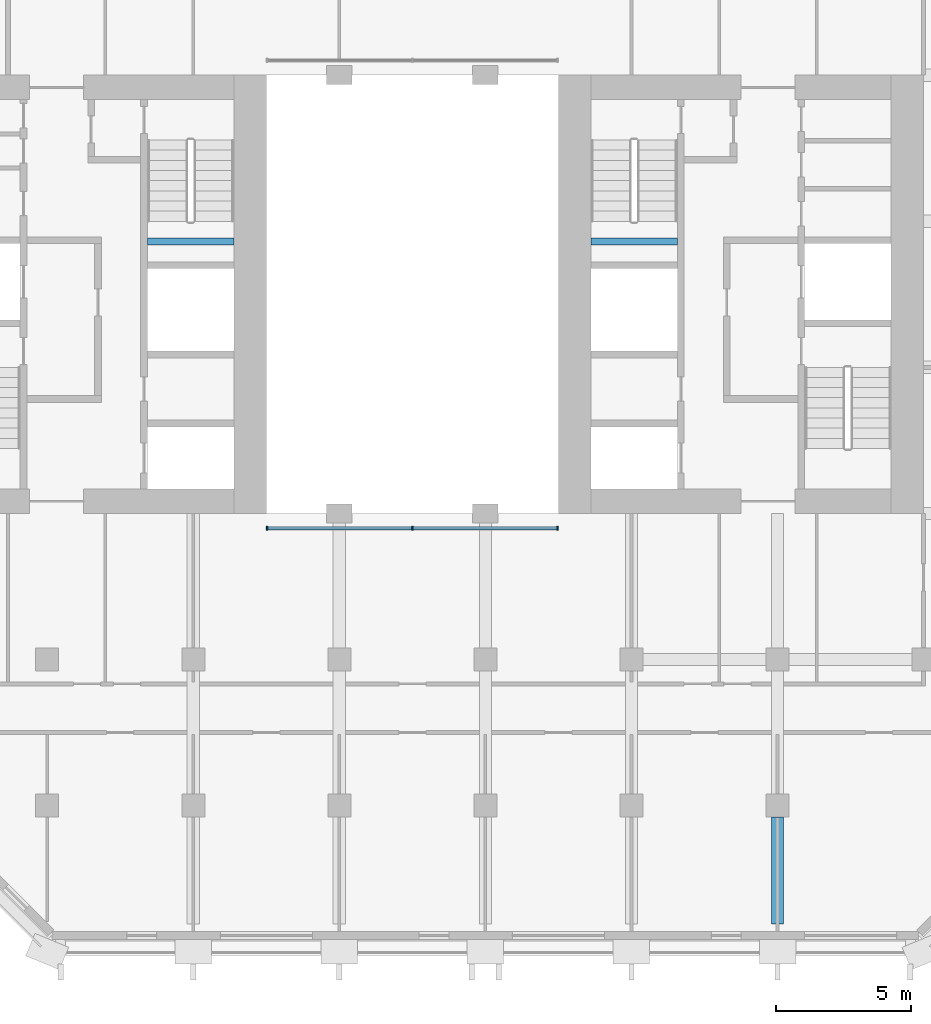
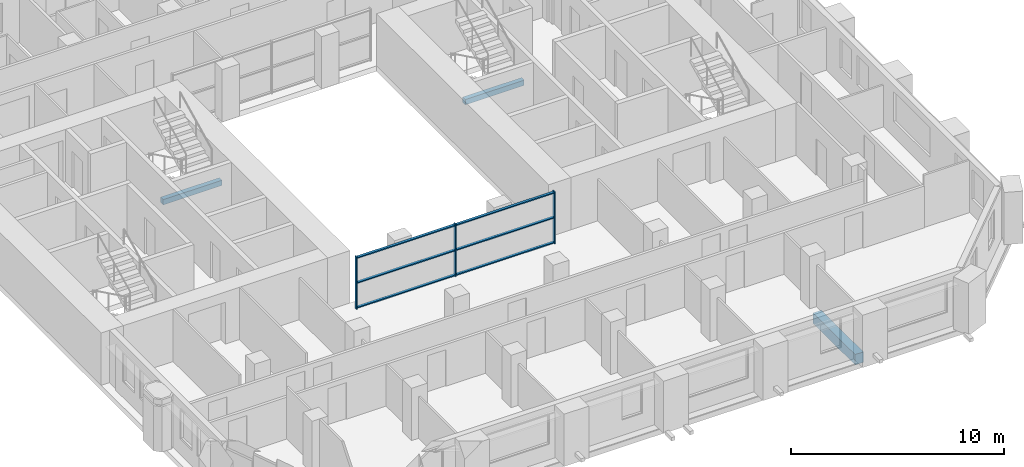
# One storey, part 2 of 13: 9 members, 3 beams, 1 element without a shape of its own.
"""IFC4 building model written with IfcOpenShell, lengths in metres."""

from ifc_helpers import new_model, si_unit, direction, frame, origin, origin_2d, place, context, subcontext, project, spatial, rectangle, extrude, material, material_profile, profile_set, type_object, element, aggregate, save


model = new_model("IFC4")

# Units and contexts
model_context = context("Model", 3, precision=1e-05, world=origin(), true_north=direction((0.0, 1.0)))
body_context = subcontext(model_context, "Body", "Model", "MODEL_VIEW")
ifc_project = project(units=[si_unit("LENGTHUNIT", "METRE"), si_unit("AREAUNIT", "SQUARE_METRE"), si_unit("VOLUMEUNIT", "CUBIC_METRE"), si_unit("PLANEANGLEUNIT", "RADIAN"), si_unit("MASSUNIT", "GRAM", prefix="KILO")], contexts=[model_context])

# Site, building, storey
site_placement = place(None, origin())
site = spatial("IfcSite", under=ifc_project, at=site_placement, CompositionType="ELEMENT")
building_placement = place(site_placement, origin())
building = spatial("IfcBuilding", under=site, at=building_placement, Name="Tabaq Tower and Sports Hall", CompositionType="ELEMENT")
storey_placement = place(building_placement, frame((0.0, 0.0, 169.300048828125)))
storey = spatial("IfcBuildingStorey", under=building, at=storey_placement, Name="L40", CompositionType="ELEMENT", Elevation=169.300048828125)

# Curtain wall, members
ifc_material_1 = material(Name="Aluminium alloy 6063-T6 framed glazing", Category="aluminium")
curtain_wall_type = type_object("IfcCurtainWallType", Name="CW1 curtain wall", PredefinedType="USERDEFINED", material=ifc_material_1)
curtain_wall_placement = place(storey_placement, origin())
curtain_wall = element("IfcCurtainWall", 1, at=curtain_wall_placement, inside=storey, type_object=curtain_wall_type, Name="Atrium glazing L40 S", ObjectType="ATRIUM ENCLOSURE", PredefinedType="USERDEFINED")
ifc_material_2 = material(Name="Aluminium alloy 6063-T6", Category="aluminium")
ifc_material_profile_1 = material_profile(ifc_material_2, rectangle(XDim=0.159912109375, YDim=0.06005859375, at=origin_2d()), Name="MULLION 160x60")
ifc_profile_set_1 = profile_set([ifc_material_profile_1], Name="Aluminium alloy 6063-T6")
member_type_1 = type_object("IfcMemberType", Name="CW1 mullion 160x60", PredefinedType="MULLION", material=ifc_profile_set_1)
member_1_placement = place(storey_placement, frame((18.929931640625, 15.64990234375, 0.0), z_axis=(0.0, 0.0, 1.0), x_axis=(0.0, 1.0, 0.0)))
member_1 = element("IfcMember", 2, at=member_1_placement, type_object=member_type_1, Name="CW1 mullion 1", PredefinedType="MULLION", context=body_context, shape_type="SweptSolid", body=[
    extrude(rectangle(XDim=0.159912109375, YDim=0.06005859375, at=origin_2d()), origin(), (0.0, 0.0, 1.0), 3.0),
])
member_2_placement = place(storey_placement, frame((24.300048828125, 15.64990234375, 0.0), z_axis=(0.0, 0.0, 1.0), x_axis=(0.0, 1.0, 0.0)))
member_2 = element("IfcMember", 3, at=member_2_placement, type_object=member_type_1, Name="CW1 mullion 2", PredefinedType="MULLION", context=body_context, shape_type="SweptSolid", body=[
    extrude(rectangle(XDim=0.159912109375, YDim=0.06005859375, at=origin_2d()), origin(), (0.0, 0.0, 1.0), 3.0),
])
member_3_placement = place(storey_placement, frame((29.669921875, 15.64990234375, 0.0), z_axis=(0.0, 0.0, 1.0), x_axis=(0.0, 1.0, 0.0)))
member_3 = element("IfcMember", 4, at=member_3_placement, type_object=member_type_1, Name="CW1 mullion 3", PredefinedType="MULLION", context=body_context, shape_type="SweptSolid", body=[
    extrude(rectangle(XDim=0.159912109375, YDim=0.06005859375, at=origin_2d()), origin(), (0.0, 0.0, 1.0), 3.0),
])
ifc_material_3 = material(Name="Aluminium alloy 6063-T6", Category="aluminium")
ifc_material_profile_2 = material_profile(ifc_material_3, rectangle(XDim=0.139892578125, YDim=0.06005859375, at=origin_2d()), Name="TRANSOM 140x60")
ifc_profile_set_2 = profile_set([ifc_material_profile_2], Name="Aluminium alloy 6063-T6")
member_type_2 = type_object("IfcMemberType", Name="CW1 transom 140x60", PredefinedType="USERDEFINED", material=ifc_profile_set_2)
member_4_placement = place(storey_placement, frame((18.9599609375, 15.64990234375, 0.070068359375), z_axis=(1.0, 0.0, 0.0), x_axis=(0.0, 1.0, 0.0)))
member_4 = element("IfcMember", 5, at=member_4_placement, type_object=member_type_2, Name="CW1 transom 1.1", ObjectType="TRANSOM", PredefinedType="USERDEFINED", context=body_context, shape_type="SweptSolid", body=[
    extrude(rectangle(XDim=0.139892578125, YDim=0.06005859375, at=origin_2d()), origin(), (0.0, 0.0, 1.0), 5.31005859375),
])
member_5_placement = place(storey_placement, frame((18.9599609375, 15.64990234375, 1.5), z_axis=(1.0, 0.0, 0.0), x_axis=(0.0, 1.0, 0.0)))
member_5 = element("IfcMember", 6, at=member_5_placement, type_object=member_type_2, Name="CW1 transom 1.2", ObjectType="TRANSOM", PredefinedType="USERDEFINED", context=body_context, shape_type="SweptSolid", body=[
    extrude(rectangle(XDim=0.139892578125, YDim=0.06005859375, at=origin_2d()), origin(), (0.0, 0.0, 1.0), 5.31005859375),
])
member_6_placement = place(storey_placement, frame((18.9599609375, 15.64990234375, 2.929931640625), z_axis=(1.0, 0.0, 0.0), x_axis=(0.0, 1.0, 0.0)))
member_6 = element("IfcMember", 7, at=member_6_placement, type_object=member_type_2, Name="CW1 transom 1.3", ObjectType="TRANSOM", PredefinedType="USERDEFINED", context=body_context, shape_type="SweptSolid", body=[
    extrude(rectangle(XDim=0.139892578125, YDim=0.06005859375, at=origin_2d()), origin(), (0.0, 0.0, 1.0), 5.31005859375),
])
member_7_placement = place(storey_placement, frame((24.330078125, 15.64990234375, 0.070068359375), z_axis=(1.0, 0.0, 0.0), x_axis=(0.0, 1.0, 0.0)))
member_7 = element("IfcMember", 8, at=member_7_placement, type_object=member_type_2, Name="CW1 transom 2.1", ObjectType="TRANSOM", PredefinedType="USERDEFINED", context=body_context, shape_type="SweptSolid", body=[
    extrude(rectangle(XDim=0.139892578125, YDim=0.06005859375, at=origin_2d()), origin(), (0.0, 0.0, 1.0), 5.309814453125),
])
member_8_placement = place(storey_placement, frame((24.330078125, 15.64990234375, 1.5), z_axis=(1.0, 0.0, 0.0), x_axis=(0.0, 1.0, 0.0)))
member_8 = element("IfcMember", 9, at=member_8_placement, type_object=member_type_2, Name="CW1 transom 2.2", ObjectType="TRANSOM", PredefinedType="USERDEFINED", context=body_context, shape_type="SweptSolid", body=[
    extrude(rectangle(XDim=0.139892578125, YDim=0.06005859375, at=origin_2d()), origin(), (0.0, 0.0, 1.0), 5.309814453125),
])
member_9_placement = place(storey_placement, frame((24.330078125, 15.64990234375, 2.929931640625), z_axis=(1.0, 0.0, 0.0), x_axis=(0.0, 1.0, 0.0)))
member_9 = element("IfcMember", 10, at=member_9_placement, type_object=member_type_2, Name="CW1 transom 2.3", ObjectType="TRANSOM", PredefinedType="USERDEFINED", context=body_context, shape_type="SweptSolid", body=[
    extrude(rectangle(XDim=0.139892578125, YDim=0.06005859375, at=origin_2d()), origin(), (0.0, 0.0, 1.0), 5.309814453125),
])
aggregate(curtain_wall, [member_1, member_2, member_3, member_4, member_5, member_6, member_7, member_8, member_9])

# Beams
ifc_material_4 = material(Name="Concrete C40/50", Category="concrete")
ifc_material_profile_3 = material_profile(ifc_material_4, rectangle(XDim=0.449951171875, YDim=0.60009765625, at=origin_2d()), Name="CB 450x600")
ifc_profile_set_3 = profile_set([ifc_material_profile_3], Name="Concrete C40/50")
beam_type_1 = type_object("IfcBeamType", Name="PT CANTILEVER BEAM CB 450x600 C40/50", PredefinedType="BEAM", material=ifc_profile_set_3)
beam_1_placement = place(storey_placement, frame((37.800048828125, 1.02490234375, -0.60009765625), z_axis=(0.0, 1.0, 0.0), x_axis=(-1.0, 0.0, 0.0)))
element("IfcBeam", 11, at=beam_1_placement, inside=storey, type_object=beam_type_1, Name="Cantilever Beam L40 S7 span 1", PredefinedType="BEAM", context=body_context, shape_type="SweptSolid", body=[
    extrude(rectangle(XDim=0.449951171875, YDim=0.60009765625, at=origin_2d()), origin(), (0.0, 0.0, 1.0), 3.9501953125),
])
ifc_material_5 = material(Name="Concrete C40/50", Category="concrete")
ifc_material_profile_4 = material_profile(ifc_material_5, rectangle(XDim=0.25, YDim=0.300048828125, at=origin_2d()), Name="RC 250x300")
ifc_profile_set_4 = profile_set([ifc_material_profile_4], Name="Concrete C40/50")
beam_type_2 = type_object("IfcBeamType", Name="Stair landing beam 250x300", PredefinedType="BEAM", material=ifc_profile_set_4)
beam_2_placement = place(storey_placement, frame((14.5, 26.25, 1.300048828125), z_axis=(1.0, 0.0, 0.0), x_axis=(0.0, 1.0, 0.0)))
element("IfcBeam", 12, at=beam_2_placement, inside=storey, type_object=beam_type_2, Name="L40 ST2 landing beam 1", PredefinedType="BEAM", context=body_context, shape_type="SweptSolid", body=[
    extrude(rectangle(XDim=0.25, YDim=0.300048828125, at=origin_2d()), origin(), (0.0, 0.0, 1.0), 3.199951171875),
])
beam_3_placement = place(storey_placement, frame((30.89990234375, 26.25, 1.300048828125), z_axis=(1.0, 0.0, 0.0), x_axis=(0.0, 1.0, 0.0)))
element("IfcBeam", 13, at=beam_3_placement, inside=storey, type_object=beam_type_2, Name="L40 ST4 landing beam 1", PredefinedType="BEAM", context=body_context, shape_type="SweptSolid", body=[
    extrude(rectangle(XDim=0.25, YDim=0.300048828125, at=origin_2d()), origin(), (0.0, 0.0, 1.0), 3.2001953125),
])

save(model, "model.ifc")
